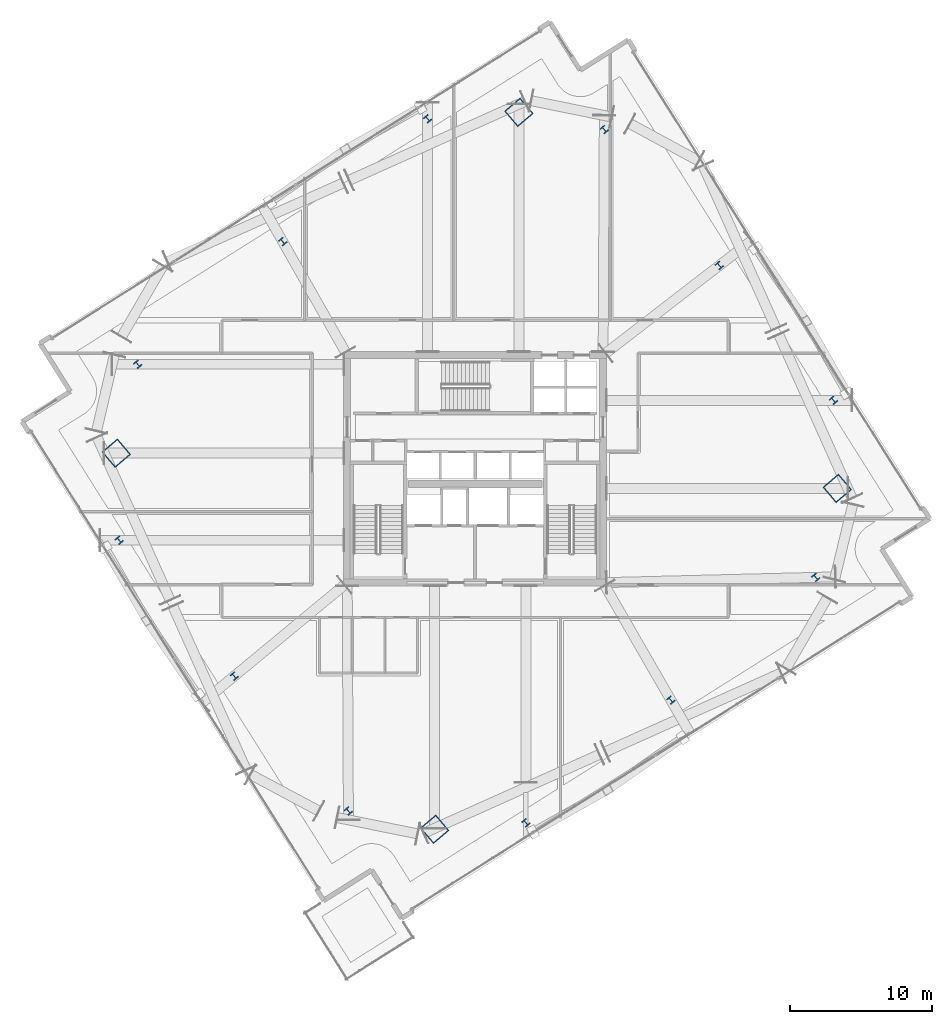
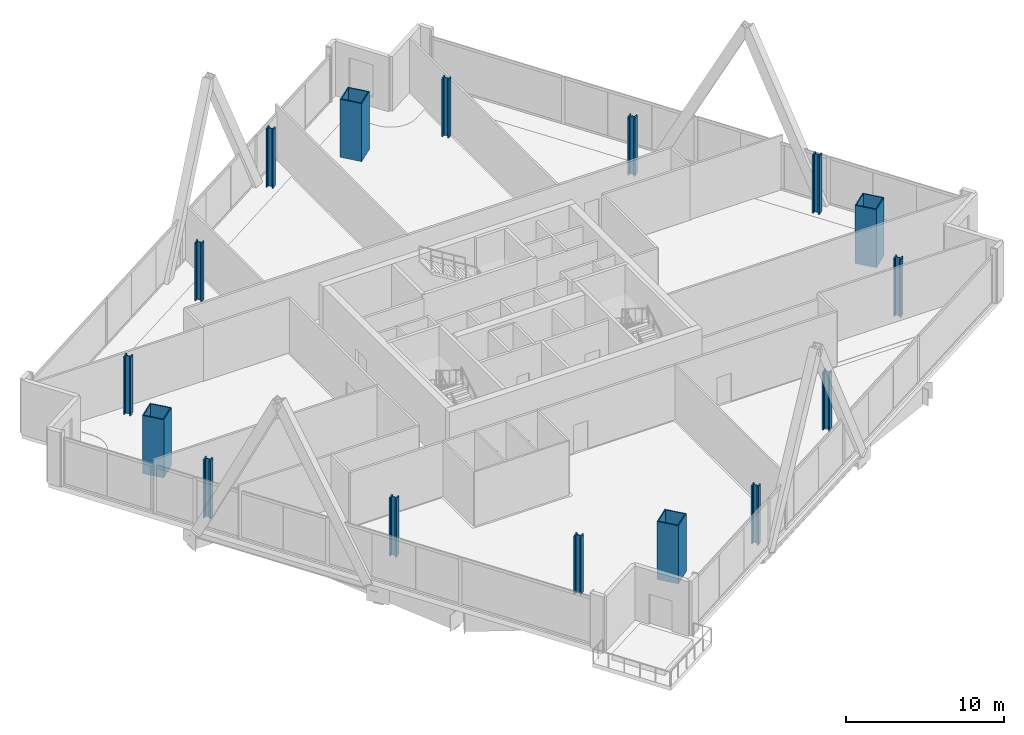
# One storey, part 1 of 29: 16 columns.
"""IFC4 building model written with IfcOpenShell, lengths in metres."""

from ifc_helpers import new_model, si_unit, direction, frame, origin, origin_2d, place, context, subcontext, project, spatial, hollow_rectangle, i_section, extrude, material, material_profile, profile_set, type_object, element, save


model = new_model("IFC4")

# Units and contexts
model_context = context("Model", 3, precision=1e-05, world=origin(), true_north=direction((0.0, 1.0)))
body_context = subcontext(model_context, "Body", "Model", "MODEL_VIEW")
ifc_project = project(units=[si_unit("LENGTHUNIT", "METRE"), si_unit("AREAUNIT", "SQUARE_METRE"), si_unit("VOLUMEUNIT", "CUBIC_METRE"), si_unit("PLANEANGLEUNIT", "RADIAN"), si_unit("MASSUNIT", "GRAM", prefix="KILO")], contexts=[model_context])

# Site, building, storey
site_placement = place(None, origin())
site = spatial("IfcSite", under=ifc_project, at=site_placement, CompositionType="ELEMENT")
building_placement = place(site_placement, origin())
building = spatial("IfcBuilding", under=site, at=building_placement, Name="Haldenkirk Collegiate Tower", CompositionType="ELEMENT")
storey_placement = place(building_placement, frame((0.0, 0.0, 136.199951171875)))
storey = spatial("IfcBuildingStorey", under=building, at=storey_placement, Name="L33", CompositionType="ELEMENT", Elevation=136.199951171875)

# Columns
ifc_material_1 = material(Name="Steel ASTM A913 Grade 65", Category="steel")
ifc_material_profile_1 = material_profile(ifc_material_1, i_section(OverallWidth=0.431884765625, OverallDepth=0.498046875, WebThickness=0.0556640625, FlangeThickness=0.0888671875, at=origin_2d()), Name="W14X500")
ifc_profile_set_1 = profile_set([ifc_material_profile_1], Name="Steel ASTM A913 Grade 65")
column_type_1 = type_object("IfcColumnType", Name="COL-INT-W14X500", PredefinedType="COLUMN", material=ifc_profile_set_1)
for number, where, z_axis, x_axis, name in (
    (1, (39.568603515625, 1.113525390625, 0.0), (0.0, 0.0, 1.0), (0.763232469783, 0.646123979643, 0.0), "L33 perimeter gravity column PC-S1"),
    (2, (49.762451171875, 9.7431640625, 0.0), (0.0, 0.0, 1.0), (0.763232469783, 0.646123979643, 0.0), "L33 perimeter gravity column PC-S2"),
    (3, (59.956298828125, 18.372802734375, 0.0), (0.0, 0.0, 1.0), (0.763232469783, 0.646123979643, 0.0), "L33 perimeter gravity column PC-S3"),
    (4, (61.199462890625, 30.82421875, 0.0), (0.0, 0.0, 1.0), (0.763232469783, 0.646123979643, 0.0), "L33 perimeter gravity column PC-E1"),
    (5, (53.17138671875, 40.307373046875, 0.0), (0.0, 0.0, 1.0), (0.763232469783, 0.646123979643, 0.0), "L33 perimeter gravity column PC-E2"),
    (6, (45.079833984375, 49.865234375, 0.0), (0.0, 0.0, 1.0), (0.763232469783, 0.646123979643, 0.0), "L33 perimeter gravity column PC-E3"),
    (7, (32.657470703125, 50.619384765625, 0.0), (0.0, 0.0, 1.0), (0.763232469783, 0.646123979643, 0.0), "L33 perimeter gravity column PC-N1"),
    (8, (22.463623046875, 41.98974609375, 0.0), (0.0, 0.0, 1.0), (0.763232469783, 0.646123979643, 0.0), "L33 perimeter gravity column PC-N2"),
    (9, (12.27001953125, 33.360107421875, 0.0), (0.0, 0.0, 1.0), (0.763232469783, 0.646123979643, 0.0), "L33 perimeter gravity column PC-N3"),
    (10, (10.96337890625, 20.9833984375, 0.0), (0.0, 0.0, 1.0), (0.763232469783, 0.646123979643, 0.0), "L33 perimeter gravity column PC-W1"),
    (11, (19.0546875, 11.425537109375, 0.0), (0.0, 0.0, 1.0), (0.763232469783, 0.646123979643, 0.0), "L33 perimeter gravity column PC-W2"),
    (12, (27.0830078125, 1.9423828125, 0.0), (0.0, 0.0, 1.0), (0.763232469783, 0.646123979643, 0.0), "L33 perimeter gravity column PC-W3"),
):
    element("IfcColumn", number, at=place(storey_placement, frame(where, z_axis=z_axis, x_axis=x_axis)), inside=storey, type_object=column_type_1, Name=name, PredefinedType="COLUMN", context=body_context, shape_type="SweptSolid", body=[
        extrude(i_section(OverallWidth=0.431884765625, OverallDepth=0.498046875, WebThickness=0.0556640625, FlangeThickness=0.0888671875, at=origin_2d()), origin(), (0.0, 0.0, 1.0), 4.5),
    ])
ifc_material_2 = material(Name="Steel ASTM A572 Grade 50", Category="steel")
ifc_material_profile_2 = material_profile(ifc_material_2, hollow_rectangle(XDim=1.449951171875, YDim=1.449951171875, WallThickness=0.070068359375, at=origin_2d()), Name="BOX1450X1450X70")
ifc_profile_set_2 = profile_set([ifc_material_profile_2], Name="Steel ASTM A572 Grade 50")
column_type_2 = type_object("IfcColumnType", Name="COL-MEGA-BOX1450X1450X70", PredefinedType="COLUMN", material=ifc_profile_set_2)
for number, where, z_axis, x_axis, name in (
    (13, (33.149169921875, 0.65771484375, 0.0), (0.0, 0.0, 1.0), (0.763232469783, 0.646123979643, 0.0), "L33 corner mega-column MC1"),
    (14, (61.465087890625, 24.62890625, 0.0), (0.0, 0.0, 1.0), (0.763232469783, 0.646123979643, 0.0), "L33 corner mega-column MC2"),
    (15, (39.076904296875, 51.074951171875, 0.0), (0.0, 0.0, 1.0), (0.763232469783, 0.646123979643, 0.0), "L33 corner mega-column MC3"),
    (16, (10.760986328125, 27.103759765625, 0.0), (0.0, 0.0, 1.0), (0.763232469783, 0.646123979643, 0.0), "L33 corner mega-column MC4"),
):
    element("IfcColumn", number, at=place(storey_placement, frame(where, z_axis=z_axis, x_axis=x_axis)), inside=storey, type_object=column_type_2, Name=name, PredefinedType="COLUMN", context=body_context, shape_type="SweptSolid", body=[
        extrude(hollow_rectangle(XDim=1.449951171875, YDim=1.449951171875, WallThickness=0.070068359375, at=origin_2d()), origin(), (0.0, 0.0, 1.0), 4.5),
    ])

save(model, "model.ifc")
